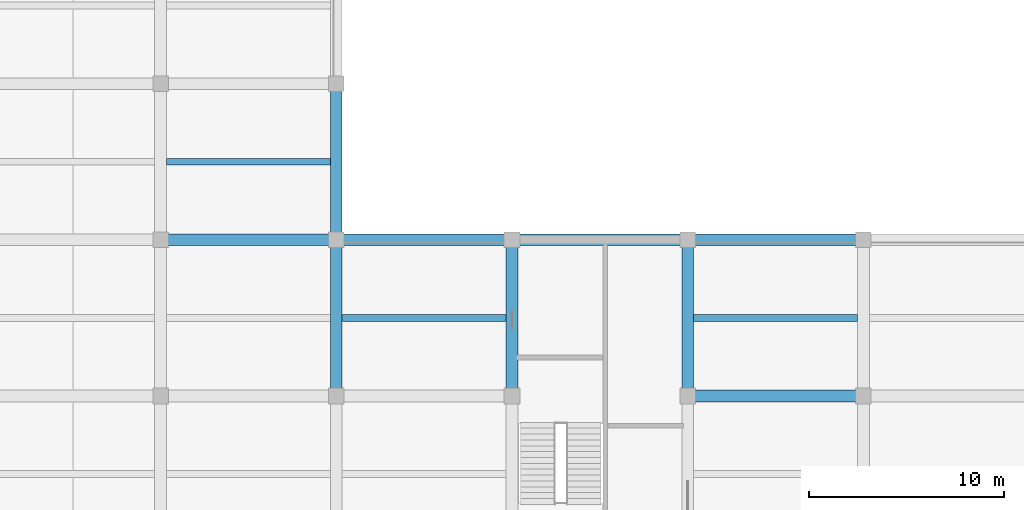
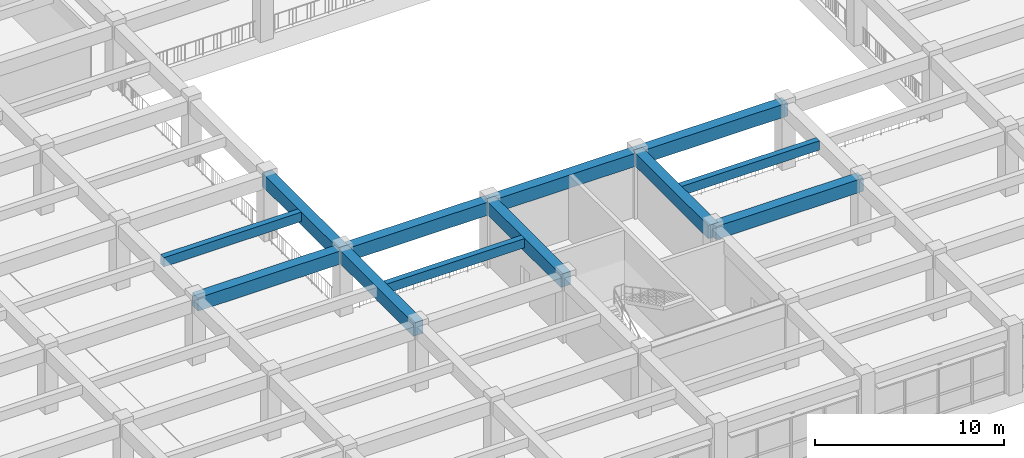
# One storey, part 10 of 50: 12 beams.
"""IFC4 building model written with IfcOpenShell, lengths in metres."""

import ifcopenshell
import ifcopenshell.guid

model = None  # the IFC model being written
_history = None  # IfcOwnerHistory: only IFC2X3 demands one
_inside = {}  # id of a spatial element -> (the spatial element, [elements in it])
_under = {}  # id of a project, library or spatial element -> (it, [spatial elements below it])
_declared = {}  # id of a project -> (the project, [libraries it declares])
_typed = {}  # id of a type object -> (the type object, [elements of that type])
_made_of = {}  # id of a material, layer set ... -> (it, [elements and type objects made of it])


def new_model(schema):
    """Start an empty IFC model of exactly this schema.

    Asked for "IFC4X3", IfcOpenShell would pick the latest addendum, in which some entities
    have other attributes; the version numbers below select the first issue.
    IFC2X3 requires an IfcOwnerHistory on every rooted entity: one is made here for all.
    """
    global model, _history
    if schema == "IFC4X3":
        model = ifcopenshell.file(schema_version=(4, 3, 0, 0))
    else:
        model = ifcopenshell.file(schema=schema)
    _inside.clear()
    _under.clear()
    _declared.clear()
    _typed.clear()
    _made_of.clear()
    _history = None
    if model.schema == "IFC2X3":
        org = make("IfcOrganization", Name="unknown")
        user = make(
            "IfcPersonAndOrganization",
            ThePerson=make("IfcPerson", FamilyName="unknown"),
            TheOrganization=org,
        )
        app = make(
            "IfcApplication",
            ApplicationDeveloper=org,
            Version="unknown",
            ApplicationFullName="unknown",
            ApplicationIdentifier="unknown",
        )
        _history = make(
            "IfcOwnerHistory",
            OwningUser=user,
            OwningApplication=app,
            ChangeAction="ADDED",
            CreationDate=0,
        )
    return model


def make(cls, **values):
    """One entity of the class cls with the attributes given. An attribute that is None is left unset."""
    return model.create_entity(
        cls, **{name: value for name, value in values.items() if value is not None}
    )


def rooted(cls, **values):
    """An entity with a GlobalId (a new one), such as an element, a storey or a relation."""
    return make(cls, GlobalId=ifcopenshell.guid.new(), OwnerHistory=_history, **values)


def si_unit(unit_type, name, prefix=None):
    """IfcSIUnit, for example si_unit("LENGTHUNIT", "METRE", prefix="MILLI")."""
    return make("IfcSIUnit", UnitType=unit_type, Prefix=prefix, Name=name)


def assignment(units):
    """IfcUnitAssignment: the units of a project."""
    return None if units is None else make("IfcUnitAssignment", Units=units)


def point(xyz):
    """IfcCartesianPoint."""
    return None if xyz is None else make("IfcCartesianPoint", Coordinates=xyz)


def direction(xyz):
    """IfcDirection."""
    return None if xyz is None else make("IfcDirection", DirectionRatios=xyz)


def frame(location, z_axis=None, x_axis=None):
    """IfcAxis2Placement3D, a coordinate frame: its origin and axes. An axis left out is left unset."""
    return make(
        "IfcAxis2Placement3D",
        Location=point(location),
        Axis=direction(z_axis),
        RefDirection=direction(x_axis),
    )


def frame_2d(location, x_axis=None):
    """IfcAxis2Placement2D, a coordinate frame in the plane: its origin and x axis."""
    return make(
        "IfcAxis2Placement2D", Location=point(location), RefDirection=direction(x_axis)
    )


def origin():
    """The frame at (0, 0, 0) with its axes left unset."""
    return frame((0.0, 0.0, 0.0))


def origin_2d():
    """The frame at (0, 0) in the plane with its x axis left unset."""
    return frame_2d((0.0, 0.0))


def place(relative_to, where):
    """IfcLocalPlacement: puts the frame where relative to a parent placement (None: the world)."""
    return make(
        "IfcLocalPlacement", PlacementRelTo=relative_to, RelativePlacement=where
    )


def context(
    kind, dimensions, precision=None, world=None, true_north=None, identifier=None
):
    """IfcGeometricRepresentationContext, for example the 3D "Model" context."""
    return make(
        "IfcGeometricRepresentationContext",
        ContextIdentifier=identifier,
        ContextType=kind,
        CoordinateSpaceDimension=dimensions,
        Precision=precision,
        WorldCoordinateSystem=world,
        TrueNorth=true_north,
    )


def subcontext(parent, identifier, kind, view, scale=None):
    """IfcGeometricRepresentationSubContext, for example "Body" below "Model"."""
    return make(
        "IfcGeometricRepresentationSubContext",
        ContextIdentifier=identifier,
        ContextType=kind,
        ParentContext=parent,
        TargetScale=scale,
        TargetView=view,
    )


def project(units=None, contexts=None):
    """IfcProject with its units and contexts."""
    return rooted(
        "IfcProject",
        Name="project",
        RepresentationContexts=contexts,
        UnitsInContext=assignment(units),
    )


def spatial(cls, under=None, at=None, **own):
    """A site, building, storey or space (cls), placed at a placement, below another one or the project."""
    s = rooted(cls, ObjectPlacement=at, **own)
    if under is not None:
        _under.setdefault(under.id(), (under, []))[1].append(s)
    return s


def profile(cls, at=None, kind="AREA", **sizes):
    """A parametric profile (cls). Its sizes go by their IFC names, for example OverallWidth=200.0."""
    return make(cls, ProfileType=kind, Position=at, **sizes)


def rectangle(**sizes):
    """IfcRectangleProfileDef."""
    return profile("IfcRectangleProfileDef", **sizes)


def extrude(swept, where, along, depth):
    """IfcExtrudedAreaSolid: the profile swept, set in the frame where, extruded along a direction by depth."""
    return make(
        "IfcExtrudedAreaSolid",
        SweptArea=swept,
        Position=where,
        ExtrudedDirection=direction(along),
        Depth=depth,
    )


def shape(context_of_items, identifier, shape_type, items):
    """IfcShapeRepresentation: the items that make up one representation, for example the "Body"."""
    return make(
        "IfcShapeRepresentation",
        ContextOfItems=context_of_items,
        RepresentationIdentifier=identifier,
        RepresentationType=shape_type,
        Items=items,
    )


def material(Name=None, Category=None):
    """IfcMaterial."""
    return make("IfcMaterial", Name=Name, Category=Category)


def material_profile(
    of_material, cross_section, Name=None, Category=None, Priority=None
):
    """IfcMaterialProfile: a cross section and its material."""
    return make(
        "IfcMaterialProfile",
        Name=Name,
        Material=of_material,
        Profile=cross_section,
        Priority=Priority,
        Category=Category,
    )


def profile_set(profiles, Name=None, composite=None):
    """IfcMaterialProfileSet."""
    return make(
        "IfcMaterialProfileSet",
        Name=Name,
        MaterialProfiles=profiles,
        CompositeProfile=composite,
    )


def made_of(thing, what):
    """Note that an element or type object is made of a material, layer set ...; save() writes the relation."""
    if what is not None:
        _made_of.setdefault(what.id(), (what, []))[1].append(thing)
    return thing


def type_object(cls, material=None, **own):
    """A type object (cls), such as IfcWallType, which elements share."""
    return made_of(rooted(cls, **own), material)


def element(
    cls,
    number,
    at=None,
    inside=None,
    cuts=None,
    type_object=None,
    material=None,
    context=None,
    identifier="Body",
    shape_type=None,
    held_by="IfcProductDefinitionShape",
    body=None,
    shapes=None,
    **own,
):
    """One element of the class cls, such as IfcWall. Its Tag is "e" and its number.

    at: its placement. inside: the storey or other place that contains it. cuts: it is an
    opening in that element (IfcRelVoidsElement). A single representation is given by context,
    identifier, shape_type and body (its items); several are given by shapes. held_by: the class
    of the entity that holds the representations. save() writes the other relations.
    """
    e = rooted(cls, Tag="e%d" % number, ObjectPlacement=at, **own)
    if body is not None:
        shapes = [shape(context, identifier, shape_type, body)]
    if shapes is not None:
        e.Representation = make(held_by, Representations=shapes)
    if inside is not None:
        _inside.setdefault(inside.id(), (inside, []))[1].append(e)
    if cuts is not None:
        rooted(
            "IfcRelVoidsElement", RelatingBuildingElement=cuts, RelatedOpeningElement=e
        )
    if type_object is not None:
        _typed.setdefault(type_object.id(), (type_object, []))[1].append(e)
    return made_of(e, material)


def aggregate(whole, parts):
    """IfcRelAggregates: a whole, such as a stair, and the parts it consists of."""
    return rooted("IfcRelAggregates", RelatingObject=whole, RelatedObjects=parts)


def save(model, path):
    """Write the relations noted so far, then the file.

    IfcRelAggregates (storeys below a building ...), IfcRelContainedInSpatialStructure (elements
    in a storey), IfcRelDefinesByType, IfcRelAssociatesMaterial and IfcRelDeclares: one each for
    every whole, place, type object, material and project.
    """
    for whole, parts in _under.values():
        aggregate(whole, parts)
    for where, things in _inside.values():
        rooted(
            "IfcRelContainedInSpatialStructure",
            RelatedElements=things,
            RelatingStructure=where,
        )
    for kind, things in _typed.values():
        rooted("IfcRelDefinesByType", RelatedObjects=things, RelatingType=kind)
    for what, things in _made_of.values():
        rooted("IfcRelAssociatesMaterial", RelatedObjects=things, RelatingMaterial=what)
    for by, libraries in _declared.values():
        rooted("IfcRelDeclares", RelatingContext=by, RelatedDefinitions=libraries)
    model.write(path)


model = new_model("IFC4")

# Units and contexts
model_context = context("Model", 3, precision=1e-05, world=origin(), true_north=direction((0.0, 1.0)))
body_context = subcontext(model_context, "Body", "Model", "MODEL_VIEW")
ifc_project = project(units=[si_unit("LENGTHUNIT", "METRE"), si_unit("AREAUNIT", "SQUARE_METRE"), si_unit("VOLUMEUNIT", "CUBIC_METRE"), si_unit("PLANEANGLEUNIT", "RADIAN"), si_unit("MASSUNIT", "GRAM", prefix="KILO")], contexts=[model_context])

# Site, building, storey
site_placement = place(None, origin())
site = spatial("IfcSite", under=ifc_project, at=site_placement, CompositionType="ELEMENT")
building_placement = place(site_placement, origin())
building = spatial("IfcBuilding", under=site, at=building_placement, Name="Zaverband Oceanarium and Marine Research Institute", CompositionType="ELEMENT")
storey_placement = place(building_placement, frame((0.0, 0.0, 4.5)))
storey = spatial("IfcBuildingStorey", under=building, at=storey_placement, Name="L01", CompositionType="ELEMENT", Elevation=4.5)

# Beams
ifc_material = material(Name="Concrete C40/50", Category="concrete")
ifc_material_profile_1 = material_profile(ifc_material, rectangle(XDim=0.60009765625, YDim=0.85009765625, at=origin_2d()), Name="RC600x850")
ifc_profile_set_1 = profile_set([ifc_material_profile_1], Name="Concrete C40/50")
beam_type_1 = type_object("IfcBeamType", Name="BM-600x850", PredefinedType="BEAM", material=ifc_profile_set_1)
for number, where, z_axis, x_axis, name in (
    (1, (90.0, 16.0, 3.7548828125), (1.0, 0.0, 0.0), (0.0, 1.0, 0.0), "Primary floor girder BM-600x850"),
    (2, (63.0, 24.0, 3.7548828125), (1.0, 0.0, 0.0), (0.0, 1.0, 0.0), "Primary floor girder BM-600x850"),
    (3, (72.0, 24.0, 3.7548828125), (1.0, 0.0, 0.0), (0.0, 1.0, 0.0), "Primary floor girder BM-600x850"),
    (4, (81.0, 24.0, 3.7548828125), (1.0, 0.0, 0.0), (0.0, 1.0, 0.0), "Primary floor girder BM-600x850"),
    (5, (90.0, 24.0, 3.7548828125), (1.0, 0.0, 0.0), (0.0, 1.0, 0.0), "Primary floor girder BM-600x850"),
):
    element("IfcBeam", number, at=place(storey_placement, frame(where, z_axis=z_axis, x_axis=x_axis)), inside=storey, type_object=beam_type_1, Name=name, PredefinedType="BEAM", context=body_context, shape_type="SweptSolid", body=[
        extrude(rectangle(XDim=0.60009765625, YDim=0.85009765625, at=origin_2d()), origin(), (0.0, 0.0, 1.0), 9.0),
    ])
for number, where, z_axis, x_axis, name in (
    (6, (72.0, 16.0, 3.7548828125), (0.0, 1.0, 0.0), (-1.0, 0.0, 0.0), "Primary floor girder BM-600x850"),
    (7, (72.0, 24.0, 3.7548828125), (0.0, 1.0, 0.0), (-1.0, 0.0, 0.0), "Primary floor girder BM-600x850"),
    (8, (81.0, 16.0, 3.7548828125), (0.0, 1.0, 0.0), (-1.0, 0.0, 0.0), "Primary floor girder BM-600x850"),
    (9, (90.0, 16.0, 3.7548828125), (0.0, 1.0, 0.0), (-1.0, 0.0, 0.0), "Primary floor girder BM-600x850"),
):
    element("IfcBeam", number, at=place(storey_placement, frame(where, z_axis=z_axis, x_axis=x_axis)), inside=storey, type_object=beam_type_1, Name=name, PredefinedType="BEAM", context=body_context, shape_type="SweptSolid", body=[
        extrude(rectangle(XDim=0.60009765625, YDim=0.85009765625, at=origin_2d()), origin(), (0.0, 0.0, 1.0), 8.0),
    ])
ifc_material_profile_2 = material_profile(ifc_material, rectangle(XDim=0.35009765625, YDim=0.60009765625, at=origin_2d()), Name="RC350x600")
ifc_profile_set_2 = profile_set([ifc_material_profile_2], Name="Concrete C40/50")
beam_type_2 = type_object("IfcBeamType", Name="JST-350x600", PredefinedType="JOIST", material=ifc_profile_set_2)
for number, where, z_axis, x_axis, name in (
    (10, (63.300048828125, 28.0, 3.8798828125), (1.0, 0.0, 0.0), (0.0, 1.0, 0.0), "Secondary floor joist JST-350x600"),
    (11, (72.300048828125, 20.0, 3.8798828125), (1.0, 0.0, 0.0), (0.0, 1.0, 0.0), "Secondary floor joist JST-350x600"),
    (12, (90.300048828125, 20.0, 3.8798828125), (1.0, 0.0, 0.0), (0.0, 1.0, 0.0), "Secondary floor joist JST-350x600"),
):
    element("IfcBeam", number, at=place(storey_placement, frame(where, z_axis=z_axis, x_axis=x_axis)), inside=storey, type_object=beam_type_2, Name=name, PredefinedType="JOIST", context=body_context, shape_type="SweptSolid", body=[
        extrude(rectangle(XDim=0.35009765625, YDim=0.60009765625, at=origin_2d()), origin(), (0.0, 0.0, 1.0), 8.39990234375),
    ])

save(model, "model.ifc")
